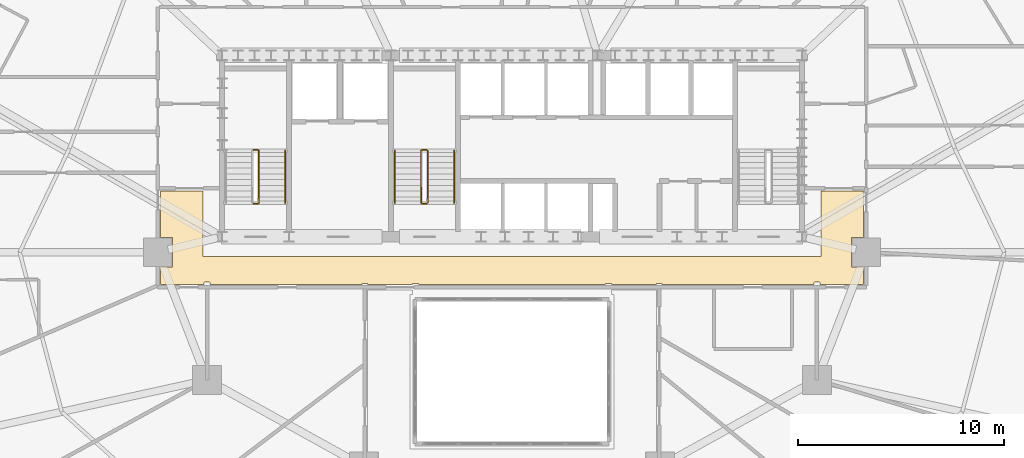
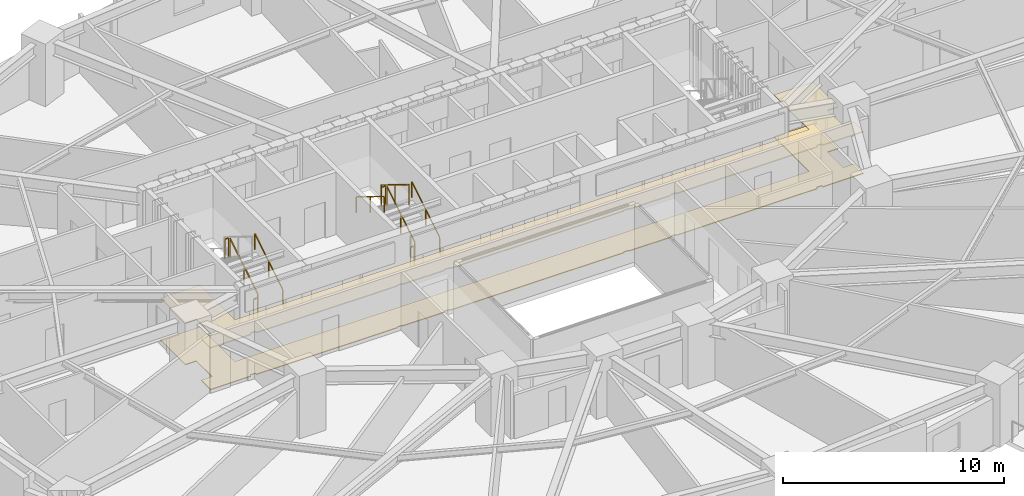
# One storey, part 16 of 18: 10 railings, 2 coverings.
"""IFC4 building model written with IfcOpenShell, lengths in metres."""

from ifc_helpers import new_model, si_unit, direction, frame, origin, origin_2d, place, context, subcontext, project, spatial, polyline, rectangle, outline, extrude, material, layer, layer_set, type_object, element, save


model = new_model("IFC4")

# Units and contexts
model_context = context("Model", 3, precision=1e-05, world=origin(), true_north=direction((0.0, 1.0)))
body_context = subcontext(model_context, "Body", "Model", "MODEL_VIEW")
ifc_project = project(units=[si_unit("LENGTHUNIT", "METRE"), si_unit("AREAUNIT", "SQUARE_METRE"), si_unit("VOLUMEUNIT", "CUBIC_METRE"), si_unit("PLANEANGLEUNIT", "RADIAN"), si_unit("MASSUNIT", "GRAM", prefix="KILO")], contexts=[model_context])

# Site, building, storey
site_placement = place(None, origin())
site = spatial("IfcSite", under=ifc_project, at=site_placement, CompositionType="ELEMENT")
building_placement = place(site_placement, origin())
building = spatial("IfcBuilding", under=site, at=building_placement, Name="Haldorwick Loom Tower", CompositionType="ELEMENT")
storey_placement = place(building_placement, frame((0.0, 0.0, 48.14990234375)))
storey = spatial("IfcBuildingStorey", under=building, at=storey_placement, Name="L12", CompositionType="ELEMENT", Elevation=48.14990234375)

# Coverings
ifc_material_1 = material(Name="Mineral Fibre Acoustic Ceiling Tile")
ifc_layer_1 = layer(ifc_material_1, 0.054931640625, Name="Mineral Fibre Acoustic Ceiling Tile")
ifc_layer_set_1 = layer_set([ifc_layer_1], Name="Mineral Fibre Acoustic Ceiling Tile")
covering_type_1 = type_object("IfcCoveringType", Name="ARC-COV-CEIL2", PredefinedType="CEILING", material=ifc_layer_set_1)
covering_1_placement = place(storey_placement, frame((0.0, 0.0, 2.302001953125)))
element("IfcCovering", 1, at=covering_1_placement, inside=storey, type_object=covering_type_1, Name="L12 Acoustic Suspended Ceiling 2", PredefinedType="CEILING", context=body_context, shape_type="SweptSolid", body=[
    extrude(outline(polyline([(51.0, 28.9599609375), (51.0, 25.800048828125), (21.0, 25.800048828125), (21.0, 28.9599609375), (18.93994140625, 28.9599609375), (18.93994140625, 26.7080078125), (19.508056640625, 26.7080078125), (19.508056640625, 25.2919921875), (18.93994140625, 25.2919921875), (18.93994140625, 24.43994140625), (21.06005859375, 24.43994140625), (21.06005859375, 24.52001953125), (21.06005859375, 24.52197265625), (21.060302734375, 24.52392578125), (21.060791015625, 24.52587890625), (21.0615234375, 24.527587890625), (21.0625, 24.529296875), (21.0634765625, 24.531005859375), (21.064453125, 24.53271484375), (21.06591796875, 24.5341796875), (21.0673828125, 24.535400390625), (21.06884765625, 24.53662109375), (21.070556640625, 24.53759765625), (21.072265625, 24.53857421875), (21.07421875, 24.5390625), (21.076171875, 24.53955078125), (21.077880859375, 24.539794921875), (21.080078125, 24.5400390625), (21.320068359375, 24.5400390625), (21.322021484375, 24.539794921875), (21.323974609375, 24.53955078125), (21.32568359375, 24.5390625), (21.32763671875, 24.53857421875), (21.329345703125, 24.53759765625), (21.3310546875, 24.53662109375), (21.332763671875, 24.535400390625), (21.333984375, 24.5341796875), (21.33544921875, 24.53271484375), (21.336669921875, 24.531005859375), (21.337646484375, 24.529296875), (21.33837890625, 24.527587890625), (21.339111328125, 24.52587890625), (21.339599609375, 24.52392578125), (21.33984375, 24.52197265625), (21.340087890625, 24.52001953125), (21.340087890625, 24.43994140625), (28.7099609375, 24.43994140625), (28.7099609375, 24.469970703125), (28.710205078125, 24.471923828125), (28.71044921875, 24.473876953125), (28.7109375, 24.475830078125), (28.71142578125, 24.477783203125), (28.71240234375, 24.4794921875), (28.71337890625, 24.481201171875), (28.714599609375, 24.482666015625), (28.7158203125, 24.484130859375), (28.71728515625, 24.485595703125), (28.718994140625, 24.486572265625), (28.720703125, 24.487548828125), (28.722412109375, 24.488525390625), (28.72412109375, 24.489013671875), (28.72607421875, 24.489501953125), (28.72802734375, 24.489990234375), (28.72998046875, 24.489990234375), (28.969970703125, 24.489990234375), (28.971923828125, 24.489990234375), (28.973876953125, 24.489501953125), (28.975830078125, 24.489013671875), (28.977783203125, 24.488525390625), (28.9794921875, 24.487548828125), (28.981201171875, 24.486572265625), (28.982666015625, 24.485595703125), (28.984130859375, 24.484130859375), (28.985595703125, 24.482666015625), (28.986572265625, 24.481201171875), (28.987548828125, 24.4794921875), (28.988525390625, 24.477783203125), (28.989013671875, 24.475830078125), (28.989501953125, 24.473876953125), (28.989990234375, 24.471923828125), (28.989990234375, 24.469970703125), (28.989990234375, 24.43994140625), (31.179931640625, 24.43994140625), (31.179931640625, 24.469970703125), (31.18017578125, 24.471923828125), (31.180419921875, 24.473876953125), (31.180908203125, 24.475830078125), (31.181396484375, 24.477783203125), (31.182373046875, 24.4794921875), (31.183349609375, 24.481201171875), (31.1845703125, 24.482666015625), (31.185791015625, 24.484130859375), (31.187255859375, 24.485595703125), (31.18896484375, 24.486572265625), (31.190673828125, 24.487548828125), (31.1923828125, 24.488525390625), (31.194091796875, 24.489013671875), (31.196044921875, 24.489501953125), (31.197998046875, 24.489990234375), (31.199951171875, 24.489990234375), (31.43994140625, 24.489990234375), (31.44189453125, 24.489990234375), (31.44384765625, 24.489501953125), (31.44580078125, 24.489013671875), (31.44775390625, 24.488525390625), (31.449462890625, 24.487548828125), (31.451171875, 24.486572265625), (31.45263671875, 24.485595703125), (31.4541015625, 24.484130859375), (31.45556640625, 24.482666015625), (31.45654296875, 24.481201171875), (31.45751953125, 24.4794921875), (31.45849609375, 24.477783203125), (31.458984375, 24.475830078125), (31.459716796875, 24.473876953125), (31.4599609375, 24.471923828125), (31.4599609375, 24.469970703125), (31.4599609375, 24.43994140625), (40.5400390625, 24.43994140625), (40.5400390625, 24.469970703125), (40.5400390625, 24.471923828125), (40.540283203125, 24.473876953125), (40.541015625, 24.475830078125), (40.54150390625, 24.477783203125), (40.54248046875, 24.4794921875), (40.54345703125, 24.481201171875), (40.54443359375, 24.482666015625), (40.5458984375, 24.484130859375), (40.54736328125, 24.485595703125), (40.548828125, 24.486572265625), (40.550537109375, 24.487548828125), (40.55224609375, 24.488525390625), (40.55419921875, 24.489013671875), (40.55615234375, 24.489501953125), (40.55810546875, 24.489990234375), (40.56005859375, 24.489990234375), (40.800048828125, 24.489990234375), (40.802001953125, 24.489990234375), (40.803955078125, 24.489501953125), (40.805908203125, 24.489013671875), (40.8076171875, 24.488525390625), (40.809326171875, 24.487548828125), (40.81103515625, 24.486572265625), (40.812744140625, 24.485595703125), (40.814208984375, 24.484130859375), (40.8154296875, 24.482666015625), (40.816650390625, 24.481201171875), (40.817626953125, 24.4794921875), (40.818603515625, 24.477783203125), (40.819091796875, 24.475830078125), (40.819580078125, 24.473876953125), (40.81982421875, 24.471923828125), (40.820068359375, 24.469970703125), (40.820068359375, 24.43994140625), (43.010009765625, 24.43994140625), (43.010009765625, 24.469970703125), (43.010009765625, 24.471923828125), (43.010498046875, 24.473876953125), (43.010986328125, 24.475830078125), (43.011474609375, 24.477783203125), (43.012451171875, 24.4794921875), (43.013427734375, 24.481201171875), (43.014404296875, 24.482666015625), (43.015869140625, 24.484130859375), (43.017333984375, 24.485595703125), (43.018798828125, 24.486572265625), (43.0205078125, 24.487548828125), (43.022216796875, 24.488525390625), (43.024169921875, 24.489013671875), (43.026123046875, 24.489501953125), (43.028076171875, 24.489990234375), (43.030029296875, 24.489990234375), (43.27001953125, 24.489990234375), (43.27197265625, 24.489990234375), (43.27392578125, 24.489501953125), (43.27587890625, 24.489013671875), (43.277587890625, 24.488525390625), (43.279296875, 24.487548828125), (43.281005859375, 24.486572265625), (43.28271484375, 24.485595703125), (43.2841796875, 24.484130859375), (43.285400390625, 24.482666015625), (43.28662109375, 24.481201171875), (43.28759765625, 24.4794921875), (43.28857421875, 24.477783203125), (43.2890625, 24.475830078125), (43.28955078125, 24.473876953125), (43.289794921875, 24.471923828125), (43.2900390625, 24.469970703125), (43.2900390625, 24.43994140625), (50.659912109375, 24.43994140625), (50.659912109375, 24.52001953125), (50.66015625, 24.52197265625), (50.660400390625, 24.52392578125), (50.660888671875, 24.52587890625), (50.66162109375, 24.527587890625), (50.662353515625, 24.529296875), (50.663330078125, 24.531005859375), (50.66455078125, 24.53271484375), (50.666015625, 24.5341796875), (50.667236328125, 24.535400390625), (50.6689453125, 24.53662109375), (50.670654296875, 24.53759765625), (50.67236328125, 24.53857421875), (50.67431640625, 24.5390625), (50.676025390625, 24.53955078125), (50.677978515625, 24.539794921875), (50.679931640625, 24.5400390625), (50.919921875, 24.5400390625), (50.922119140625, 24.539794921875), (50.923828125, 24.53955078125), (50.92578125, 24.5390625), (50.927734375, 24.53857421875), (50.929443359375, 24.53759765625), (50.93115234375, 24.53662109375), (50.9326171875, 24.535400390625), (50.93408203125, 24.5341796875), (50.935546875, 24.53271484375), (50.9365234375, 24.531005859375), (50.9375, 24.529296875), (50.9384765625, 24.527587890625), (50.939208984375, 24.52587890625), (50.939697265625, 24.52392578125), (50.93994140625, 24.52197265625), (50.93994140625, 24.52001953125), (50.93994140625, 24.43994140625), (53.06005859375, 24.43994140625), (53.06005859375, 25.2919921875), (52.491943359375, 25.2919921875), (52.491943359375, 26.7080078125), (53.06005859375, 26.7080078125), (53.06005859375, 28.9599609375), (51.0, 28.9599609375)])), origin(), (0.0, 0.0, 1.0), 0.05517578125),
])
ifc_material_2 = material(Name="Polished Aggregate Terrazzo Finish")
ifc_layer_2 = layer(ifc_material_2, 0.044921875, Name="Polished Aggregate Terrazzo Finish")
ifc_layer_set_2 = layer_set([ifc_layer_2], Name="Polished Aggregate Terrazzo Finish")
covering_type_2 = type_object("IfcCoveringType", Name="ARC-COV-FLOOR2", PredefinedType="FLOORING", material=ifc_layer_set_2)
covering_2_placement = place(storey_placement, origin())
element("IfcCovering", 2, at=covering_2_placement, inside=storey, type_object=covering_type_2, Name="L12 Floor Finish 2", PredefinedType="FLOORING", context=body_context, shape_type="SweptSolid", body=[
    extrude(outline(polyline([(51.0, 28.9599609375), (51.0, 25.800048828125), (21.0, 25.800048828125), (21.0, 28.9599609375), (18.93994140625, 28.9599609375), (18.93994140625, 26.7080078125), (19.508056640625, 26.7080078125), (19.508056640625, 25.2919921875), (18.93994140625, 25.2919921875), (18.93994140625, 24.43994140625), (21.06005859375, 24.43994140625), (21.06005859375, 24.52001953125), (21.06005859375, 24.52197265625), (21.060302734375, 24.52392578125), (21.060791015625, 24.52587890625), (21.0615234375, 24.527587890625), (21.0625, 24.529296875), (21.0634765625, 24.531005859375), (21.064453125, 24.53271484375), (21.06591796875, 24.5341796875), (21.0673828125, 24.535400390625), (21.06884765625, 24.53662109375), (21.070556640625, 24.53759765625), (21.072265625, 24.53857421875), (21.07421875, 24.5390625), (21.076171875, 24.53955078125), (21.077880859375, 24.539794921875), (21.080078125, 24.5400390625), (21.320068359375, 24.5400390625), (21.322021484375, 24.539794921875), (21.323974609375, 24.53955078125), (21.32568359375, 24.5390625), (21.32763671875, 24.53857421875), (21.329345703125, 24.53759765625), (21.3310546875, 24.53662109375), (21.332763671875, 24.535400390625), (21.333984375, 24.5341796875), (21.33544921875, 24.53271484375), (21.336669921875, 24.531005859375), (21.337646484375, 24.529296875), (21.33837890625, 24.527587890625), (21.339111328125, 24.52587890625), (21.339599609375, 24.52392578125), (21.33984375, 24.52197265625), (21.340087890625, 24.52001953125), (21.340087890625, 24.43994140625), (28.7099609375, 24.43994140625), (28.7099609375, 24.469970703125), (28.710205078125, 24.471923828125), (28.71044921875, 24.473876953125), (28.7109375, 24.475830078125), (28.71142578125, 24.477783203125), (28.71240234375, 24.4794921875), (28.71337890625, 24.481201171875), (28.714599609375, 24.482666015625), (28.7158203125, 24.484130859375), (28.71728515625, 24.485595703125), (28.718994140625, 24.486572265625), (28.720703125, 24.487548828125), (28.722412109375, 24.488525390625), (28.72412109375, 24.489013671875), (28.72607421875, 24.489501953125), (28.72802734375, 24.489990234375), (28.72998046875, 24.489990234375), (28.969970703125, 24.489990234375), (28.971923828125, 24.489990234375), (28.973876953125, 24.489501953125), (28.975830078125, 24.489013671875), (28.977783203125, 24.488525390625), (28.9794921875, 24.487548828125), (28.981201171875, 24.486572265625), (28.982666015625, 24.485595703125), (28.984130859375, 24.484130859375), (28.985595703125, 24.482666015625), (28.986572265625, 24.481201171875), (28.987548828125, 24.4794921875), (28.988525390625, 24.477783203125), (28.989013671875, 24.475830078125), (28.989501953125, 24.473876953125), (28.989990234375, 24.471923828125), (28.989990234375, 24.469970703125), (28.989990234375, 24.43994140625), (31.179931640625, 24.43994140625), (31.179931640625, 24.469970703125), (31.18017578125, 24.471923828125), (31.180419921875, 24.473876953125), (31.180908203125, 24.475830078125), (31.181396484375, 24.477783203125), (31.182373046875, 24.4794921875), (31.183349609375, 24.481201171875), (31.1845703125, 24.482666015625), (31.185791015625, 24.484130859375), (31.187255859375, 24.485595703125), (31.18896484375, 24.486572265625), (31.190673828125, 24.487548828125), (31.1923828125, 24.488525390625), (31.194091796875, 24.489013671875), (31.196044921875, 24.489501953125), (31.197998046875, 24.489990234375), (31.199951171875, 24.489990234375), (31.43994140625, 24.489990234375), (31.44189453125, 24.489990234375), (31.44384765625, 24.489501953125), (31.44580078125, 24.489013671875), (31.44775390625, 24.488525390625), (31.449462890625, 24.487548828125), (31.451171875, 24.486572265625), (31.45263671875, 24.485595703125), (31.4541015625, 24.484130859375), (31.45556640625, 24.482666015625), (31.45654296875, 24.481201171875), (31.45751953125, 24.4794921875), (31.45849609375, 24.477783203125), (31.458984375, 24.475830078125), (31.459716796875, 24.473876953125), (31.4599609375, 24.471923828125), (31.4599609375, 24.469970703125), (31.4599609375, 24.43994140625), (40.5400390625, 24.43994140625), (40.5400390625, 24.469970703125), (40.5400390625, 24.471923828125), (40.540283203125, 24.473876953125), (40.541015625, 24.475830078125), (40.54150390625, 24.477783203125), (40.54248046875, 24.4794921875), (40.54345703125, 24.481201171875), (40.54443359375, 24.482666015625), (40.5458984375, 24.484130859375), (40.54736328125, 24.485595703125), (40.548828125, 24.486572265625), (40.550537109375, 24.487548828125), (40.55224609375, 24.488525390625), (40.55419921875, 24.489013671875), (40.55615234375, 24.489501953125), (40.55810546875, 24.489990234375), (40.56005859375, 24.489990234375), (40.800048828125, 24.489990234375), (40.802001953125, 24.489990234375), (40.803955078125, 24.489501953125), (40.805908203125, 24.489013671875), (40.8076171875, 24.488525390625), (40.809326171875, 24.487548828125), (40.81103515625, 24.486572265625), (40.812744140625, 24.485595703125), (40.814208984375, 24.484130859375), (40.8154296875, 24.482666015625), (40.816650390625, 24.481201171875), (40.817626953125, 24.4794921875), (40.818603515625, 24.477783203125), (40.819091796875, 24.475830078125), (40.819580078125, 24.473876953125), (40.81982421875, 24.471923828125), (40.820068359375, 24.469970703125), (40.820068359375, 24.43994140625), (43.010009765625, 24.43994140625), (43.010009765625, 24.469970703125), (43.010009765625, 24.471923828125), (43.010498046875, 24.473876953125), (43.010986328125, 24.475830078125), (43.011474609375, 24.477783203125), (43.012451171875, 24.4794921875), (43.013427734375, 24.481201171875), (43.014404296875, 24.482666015625), (43.015869140625, 24.484130859375), (43.017333984375, 24.485595703125), (43.018798828125, 24.486572265625), (43.0205078125, 24.487548828125), (43.022216796875, 24.488525390625), (43.024169921875, 24.489013671875), (43.026123046875, 24.489501953125), (43.028076171875, 24.489990234375), (43.030029296875, 24.489990234375), (43.27001953125, 24.489990234375), (43.27197265625, 24.489990234375), (43.27392578125, 24.489501953125), (43.27587890625, 24.489013671875), (43.277587890625, 24.488525390625), (43.279296875, 24.487548828125), (43.281005859375, 24.486572265625), (43.28271484375, 24.485595703125), (43.2841796875, 24.484130859375), (43.285400390625, 24.482666015625), (43.28662109375, 24.481201171875), (43.28759765625, 24.4794921875), (43.28857421875, 24.477783203125), (43.2890625, 24.475830078125), (43.28955078125, 24.473876953125), (43.289794921875, 24.471923828125), (43.2900390625, 24.469970703125), (43.2900390625, 24.43994140625), (50.659912109375, 24.43994140625), (50.659912109375, 24.52001953125), (50.66015625, 24.52197265625), (50.660400390625, 24.52392578125), (50.660888671875, 24.52587890625), (50.66162109375, 24.527587890625), (50.662353515625, 24.529296875), (50.663330078125, 24.531005859375), (50.66455078125, 24.53271484375), (50.666015625, 24.5341796875), (50.667236328125, 24.535400390625), (50.6689453125, 24.53662109375), (50.670654296875, 24.53759765625), (50.67236328125, 24.53857421875), (50.67431640625, 24.5390625), (50.676025390625, 24.53955078125), (50.677978515625, 24.539794921875), (50.679931640625, 24.5400390625), (50.919921875, 24.5400390625), (50.922119140625, 24.539794921875), (50.923828125, 24.53955078125), (50.92578125, 24.5390625), (50.927734375, 24.53857421875), (50.929443359375, 24.53759765625), (50.93115234375, 24.53662109375), (50.9326171875, 24.535400390625), (50.93408203125, 24.5341796875), (50.935546875, 24.53271484375), (50.9365234375, 24.531005859375), (50.9375, 24.529296875), (50.9384765625, 24.527587890625), (50.939208984375, 24.52587890625), (50.939697265625, 24.52392578125), (50.93994140625, 24.52197265625), (50.93994140625, 24.52001953125), (50.93994140625, 24.43994140625), (53.06005859375, 24.43994140625), (53.06005859375, 25.2919921875), (52.491943359375, 25.2919921875), (52.491943359375, 26.7080078125), (53.06005859375, 26.7080078125), (53.06005859375, 28.9599609375), (51.0, 28.9599609375)])), origin(), (0.0, 0.0, 1.0), 0.045166015625),
])

# Railings
ifc_material_3 = material(Name="Steel CSA G40.21 350W", Category="steel")
railing_type_1 = type_object("IfcRailingType", Name="ARC-RLG-GUARD112", PredefinedType="GUARDRAIL", material=ifc_material_3)
railing_1_placement = place(storey_placement, frame((23.699951171875, 28.39990234375, 0.172607421875)))
element("IfcRailing", 3, at=railing_1_placement, inside=storey, type_object=railing_type_1, Name="L12 ST-01 stair guard 1", PredefinedType="GUARDRAIL", context=body_context, shape_type="SweptSolid", body=[
    extrude(rectangle(XDim=0.048095703125, YDim=0.048095703125, at=origin_2d()), frame((0.0, 0.0, 1.076171875), z_axis=(0.0, 0.851400495292, 0.524516154772), x_axis=(-1.0, 0.0, 0.0)), (0.0, 0.0, 1.0), 2.9599609375),
    extrude(rectangle(XDim=0.0419921875, YDim=0.0419921875, at=origin_2d()), origin(), (0.0, 0.0, 1.0), 1.052001953125),
    extrude(rectangle(XDim=0.0419921875, YDim=0.0419921875, at=origin_2d()), frame((0.0, 1.260009765625, 0.7763671875)), (0.0, 0.0, 1.0), 1.052001953125),
    extrude(rectangle(XDim=0.0419921875, YDim=0.0419921875, at=origin_2d()), frame((0.0, 2.52001953125, 1.552490234375)), (0.0, 0.0, 1.0), 1.052001953125),
])
for number, where, name in (
    (4, (23.64990234375, 30.969970703125, 1.72509765625), "L12 ST-01 stair guard 2"),
    (5, (23.64990234375, 28.35009765625, 0.0), "L12 ST-01 stair guard 4"),
):
    element("IfcRailing", number, at=place(storey_placement, frame(where)), inside=storey, type_object=railing_type_1, Name=name, PredefinedType="GUARDRAIL", context=body_context, shape_type="SweptSolid", body=[
        extrude(rectangle(XDim=0.048095703125, YDim=0.048095703125, at=origin_2d()), frame((0.0, 0.0, 1.076171875), z_axis=(-1.0, 0.0, 0.0), x_axis=(0.0, -1.0, 0.0)), (0.0, 0.0, 1.0), 0.199951171875),
        extrude(rectangle(XDim=0.0419921875, YDim=0.0419921875, at=origin_2d()), origin(), (0.0, 0.0, 1.0), 1.052001953125),
        extrude(rectangle(XDim=0.0419921875, YDim=0.0419921875, at=origin_2d()), frame((-0.199951171875, 0.0, 0.0)), (0.0, 0.0, 1.0), 1.052001953125),
    ])
railing_2_placement = place(storey_placement, frame((31.89990234375, 28.39990234375, 0.172607421875)))
element("IfcRailing", 6, at=railing_2_placement, inside=storey, type_object=railing_type_1, Name="L12 ST-03 stair guard 1", PredefinedType="GUARDRAIL", context=body_context, shape_type="SweptSolid", body=[
    extrude(rectangle(XDim=0.048095703125, YDim=0.048095703125, at=origin_2d()), frame((0.0, 0.0, 1.076171875), z_axis=(0.0, 0.851400495292, 0.524516154772), x_axis=(-1.0, 0.0, 0.0)), (0.0, 0.0, 1.0), 2.9599609375),
    extrude(rectangle(XDim=0.0419921875, YDim=0.0419921875, at=origin_2d()), origin(), (0.0, 0.0, 1.0), 1.052001953125),
    extrude(rectangle(XDim=0.0419921875, YDim=0.0419921875, at=origin_2d()), frame((0.0, 1.260009765625, 0.7763671875)), (0.0, 0.0, 1.0), 1.052001953125),
    extrude(rectangle(XDim=0.0419921875, YDim=0.0419921875, at=origin_2d()), frame((0.0, 2.52001953125, 1.552490234375)), (0.0, 0.0, 1.0), 1.052001953125),
])
railing_3_placement = place(storey_placement, frame((31.85009765625, 30.969970703125, 1.72509765625)))
element("IfcRailing", 7, at=railing_3_placement, inside=storey, type_object=railing_type_1, Name="L12 ST-03 stair guard 2", PredefinedType="GUARDRAIL", context=body_context, shape_type="SweptSolid", body=[
    extrude(rectangle(XDim=0.048095703125, YDim=0.048095703125, at=origin_2d()), frame((0.0, 0.0, 1.076171875), z_axis=(-1.0, 0.0, 0.0), x_axis=(0.0, -1.0, 0.0)), (0.0, 0.0, 1.0), 0.2001953125),
    extrude(rectangle(XDim=0.0419921875, YDim=0.0419921875, at=origin_2d()), origin(), (0.0, 0.0, 1.0), 1.052001953125),
    extrude(rectangle(XDim=0.0419921875, YDim=0.0419921875, at=origin_2d()), frame((-0.2001953125, 0.0, 0.0)), (0.0, 0.0, 1.0), 1.052001953125),
])
railing_4_placement = place(storey_placement, frame((31.60009765625, 30.919921875, 1.897705078125)))
element("IfcRailing", 8, at=railing_4_placement, inside=storey, type_object=railing_type_1, Name="L12 ST-03 stair guard 3", PredefinedType="GUARDRAIL", context=body_context, shape_type="SweptSolid", body=[
    extrude(rectangle(XDim=0.048095703125, YDim=0.048095703125, at=origin_2d()), frame((0.0, 0.0, 1.076171875), z_axis=(0.0, -0.851400495292, 0.524516154772), x_axis=(1.0, 0.0, 0.0)), (0.0, 0.0, 1.0), 2.9599609375),
    extrude(rectangle(XDim=0.0419921875, YDim=0.0419921875, at=origin_2d()), origin(), (0.0, 0.0, 1.0), 1.052001953125),
    extrude(rectangle(XDim=0.0419921875, YDim=0.0419921875, at=origin_2d()), frame((0.0, -1.260009765625, 0.7763671875)), (0.0, 0.0, 1.0), 1.052001953125),
    extrude(rectangle(XDim=0.0419921875, YDim=0.0419921875, at=origin_2d()), frame((0.0, -2.52001953125, 1.552490234375)), (0.0, 0.0, 1.0), 1.052001953125),
])
railing_5_placement = place(storey_placement, frame((31.85009765625, 28.35009765625, 0.0)))
element("IfcRailing", 9, at=railing_5_placement, inside=storey, type_object=railing_type_1, Name="L12 ST-03 stair guard 4", PredefinedType="GUARDRAIL", context=body_context, shape_type="SweptSolid", body=[
    extrude(rectangle(XDim=0.048095703125, YDim=0.048095703125, at=origin_2d()), frame((0.0, 0.0, 1.076171875), z_axis=(-1.0, 0.0, 0.0), x_axis=(0.0, -1.0, 0.0)), (0.0, 0.0, 1.0), 0.2001953125),
    extrude(rectangle(XDim=0.0419921875, YDim=0.0419921875, at=origin_2d()), origin(), (0.0, 0.0, 1.0), 1.052001953125),
    extrude(rectangle(XDim=0.0419921875, YDim=0.0419921875, at=origin_2d()), frame((-0.2001953125, 0.0, 0.0)), (0.0, 0.0, 1.0), 1.052001953125),
])
railing_type_2 = type_object("IfcRailingType", Name="ARC-RLG-HAND092", PredefinedType="HANDRAIL", material=ifc_material_3)
for number, where, name in (
    (10, (25.0, 28.39990234375, 0.172607421875), "L12 ST-01 stair handrail 1"),
    (11, (33.199951171875, 28.39990234375, 0.172607421875), "L12 ST-03 stair handrail 1"),
):
    element("IfcRailing", number, at=place(storey_placement, frame(where)), inside=storey, type_object=railing_type_2, Name=name, PredefinedType="HANDRAIL", context=body_context, shape_type="SweptSolid", body=[
        extrude(rectangle(XDim=0.048095703125, YDim=0.048095703125, at=origin_2d()), frame((0.0, 0.0, 0.8759765625), z_axis=(0.0, 0.851400495292, 0.524516154772), x_axis=(-1.0, 0.0, 0.0)), (0.0, 0.0, 1.0), 2.9599609375),
        extrude(rectangle(XDim=0.0419921875, YDim=0.0419921875, at=origin_2d()), origin(), (0.0, 0.0, 1.0), 0.851806640625),
        extrude(rectangle(XDim=0.0419921875, YDim=0.0419921875, at=origin_2d()), frame((0.0, 1.260009765625, 0.7763671875)), (0.0, 0.0, 1.0), 0.851806640625),
        extrude(rectangle(XDim=0.0419921875, YDim=0.0419921875, at=origin_2d()), frame((0.0, 2.52001953125, 1.552490234375)), (0.0, 0.0, 1.0), 0.851806640625),
    ])
railing_6_placement = place(storey_placement, frame((30.300048828125, 30.919921875, 1.897705078125)))
element("IfcRailing", 12, at=railing_6_placement, inside=storey, type_object=railing_type_2, Name="L12 ST-03 stair handrail 2", PredefinedType="HANDRAIL", context=body_context, shape_type="SweptSolid", body=[
    extrude(rectangle(XDim=0.048095703125, YDim=0.048095703125, at=origin_2d()), frame((0.0, 0.0, 0.8759765625), z_axis=(0.0, -0.851400495292, 0.524516154772), x_axis=(1.0, 0.0, 0.0)), (0.0, 0.0, 1.0), 2.9599609375),
    extrude(rectangle(XDim=0.0419921875, YDim=0.0419921875, at=origin_2d()), origin(), (0.0, 0.0, 1.0), 0.851806640625),
    extrude(rectangle(XDim=0.0419921875, YDim=0.0419921875, at=origin_2d()), frame((0.0, -1.260009765625, 0.7763671875)), (0.0, 0.0, 1.0), 0.851806640625),
    extrude(rectangle(XDim=0.0419921875, YDim=0.0419921875, at=origin_2d()), frame((0.0, -2.52001953125, 1.552490234375)), (0.0, 0.0, 1.0), 0.851806640625),
])

save(model, "model.ifc")
